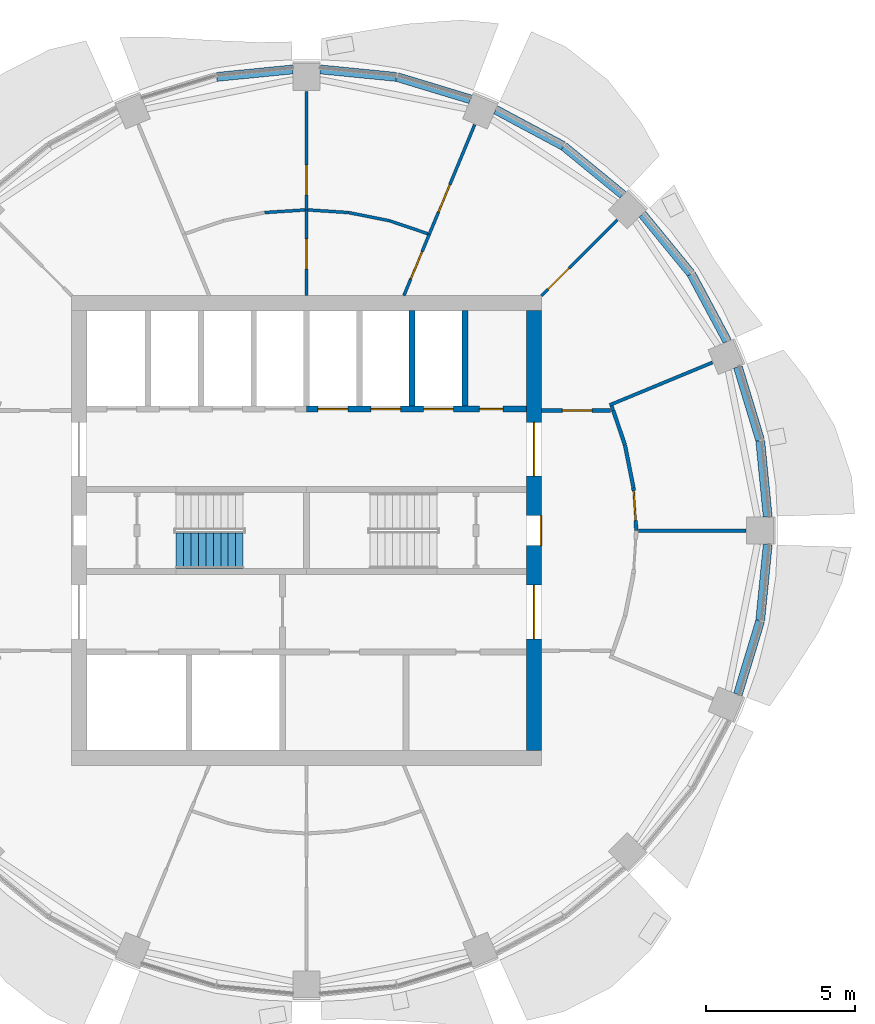
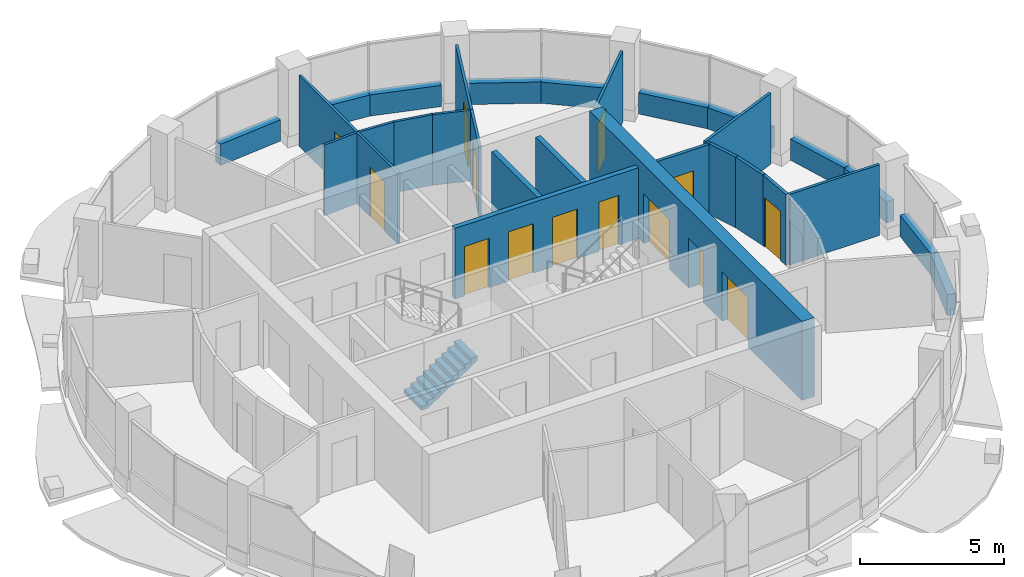
# One storey, part 9 of 14: 31 walls, 14 doors, 1 stair flight, 14 openings, 1 element without a shape of its own.
"""IFC4 building model written with IfcOpenShell, lengths in metres."""

from ifc_helpers import new_model, si_unit, direction, frame, frame_2d, origin, place, context, subcontext, project, spatial, polyline, rectangle, outline, extrude, material, layer, layer_set, type_object, element, fill, aggregate, save


model = new_model("IFC4")

# Units and contexts
model_context = context("Model", 3, precision=1e-05, world=origin(), true_north=direction((0.0, 1.0)))
body_context = subcontext(model_context, "Body", "Model", "MODEL_VIEW")
ifc_project = project(units=[si_unit("LENGTHUNIT", "METRE"), si_unit("AREAUNIT", "SQUARE_METRE"), si_unit("VOLUMEUNIT", "CUBIC_METRE"), si_unit("PLANEANGLEUNIT", "RADIAN"), si_unit("MASSUNIT", "GRAM", prefix="KILO")], contexts=[model_context])

# Site, building, storey
site_placement = place(None, origin())
site = spatial("IfcSite", under=ifc_project, at=site_placement, CompositionType="ELEMENT")
building_placement = place(site_placement, origin())
building = spatial("IfcBuilding", under=site, at=building_placement, Name="Polderwave Tower", CompositionType="ELEMENT")
storey_placement = place(building_placement, frame((0.0, 0.0, 217.800048828125)))
storey = spatial("IfcBuildingStorey", under=building, at=storey_placement, Name="L59", CompositionType="ELEMENT", Elevation=217.800048828125)

# Wall, openings, doors
ifc_material_1 = material(Name="Concrete C60/75", Category="concrete")
ifc_layer_1 = layer(ifc_material_1, 0.5)
ifc_layer_set_1 = layer_set([ifc_layer_1], Name="CORE WALL 500 C60/75")
wall_type_1 = type_object("IfcWallType", Name="CORE WALL 500 C60/75", PredefinedType="SHEAR", material=ifc_layer_set_1)
wall_1_placement = place(storey_placement, frame((7.6240234375, -7.3740234375, 0.0), z_axis=(0.0, 0.0, 1.0), x_axis=(0.0, 1.0, 0.0)))
wall_1 = element("IfcWall", 1, at=wall_1_placement, inside=storey, type_object=wall_type_1, Name="ST-CORE-L59-E", PredefinedType="SHEAR", context=body_context, shape_type="SweptSolid", body=[
    extrude(rectangle(XDim=14.748046875, YDim=0.5, at=frame_2d((7.3740234375, 0.0))), origin(), (0.0, 0.0, 1.0), 3.349853515625),
])
opening_1_placement = place(wall_1_placement, frame((6.8740234375, 0.0, 0.0)))
opening_1 = element("IfcOpeningElement", 2, at=opening_1_placement, cuts=wall_1, Name="Opening L59-D21", PredefinedType="OPENING", context=body_context, shape_type="SweptSolid", body=[
    extrude(rectangle(XDim=1.0, YDim=2.10009765625, at=frame_2d((0.5, 1.050048828125))), frame((0.0, 0.260009765625, 0.0), z_axis=(0.0, -1.0, 0.0), x_axis=(1.0, 0.0, 0.0)), (0.0, 0.0, 1.0), 0.52001953125),
])
opening_2_placement = place(wall_1_placement, frame((3.74951171875, 0.0, 0.0)))
opening_2 = element("IfcOpeningElement", 3, at=opening_2_placement, cuts=wall_1, Name="Opening L59-D22", PredefinedType="OPENING", context=body_context, shape_type="SweptSolid", body=[
    extrude(rectangle(XDim=1.800048828125, YDim=2.10009765625, at=frame_2d((0.89990234375, 1.050048828125))), frame((0.0, 0.260009765625, 0.0), z_axis=(0.0, -1.0, 0.0), x_axis=(1.0, 0.0, 0.0)), (0.0, 0.0, 1.0), 0.52001953125),
])
opening_3_placement = place(wall_1_placement, frame((9.198486328125, 0.0, 0.0)))
opening_3 = element("IfcOpeningElement", 4, at=opening_3_placement, cuts=wall_1, Name="Opening L59-D23", PredefinedType="OPENING", context=body_context, shape_type="SweptSolid", body=[
    extrude(rectangle(XDim=1.800048828125, YDim=2.10009765625, at=frame_2d((0.89990234375, 1.050048828125))), frame((0.0, 0.260009765625, 0.0), z_axis=(0.0, -1.0, 0.0), x_axis=(1.0, 0.0, 0.0)), (0.0, 0.0, 1.0), 0.52001953125),
])
ifc_material_2 = material(Name="Steel fire door", Category="steel")
door_type_1 = type_object("IfcDoorType", Name="Lobby entry door pair 1800", OperationType="DOUBLE_DOOR_SINGLE_SWING", PredefinedType="DOOR", material=ifc_material_2)
door_1_placement = place(opening_2_placement, frame((1.800048828125, 0.0, 0.0), z_axis=(0.0, 0.0, 1.0), x_axis=(-1.0, 0.0, 0.0)))
door_1 = element("IfcDoor", 5, at=door_1_placement, inside=storey, type_object=door_type_1, Name="South lobby entry door", OperationType="DOUBLE_DOOR_SINGLE_SWING", OverallHeight=2.10009765625, OverallWidth=1.800048828125, PredefinedType="DOOR", context=body_context, shape_type="SweptSolid", body=[
    extrude(rectangle(XDim=1.800048828125, YDim=2.10009765625, at=frame_2d((0.89990234375, 1.050048828125))), frame((0.0, 0.02490234375, 0.0), z_axis=(0.0, -1.0, 0.0), x_axis=(1.0, 0.0, 0.0)), (0.0, 0.0, 1.0), 0.050048828125),
])
fill(opening_2, door_1)
door_2_placement = place(opening_3_placement, frame((1.800048828125, 0.0, 0.0), z_axis=(0.0, 0.0, 1.0), x_axis=(-1.0, 0.0, 0.0)))
door_2 = element("IfcDoor", 6, at=door_2_placement, inside=storey, type_object=door_type_1, Name="North lobby entry door", OperationType="DOUBLE_DOOR_SINGLE_SWING", OverallHeight=2.10009765625, OverallWidth=1.800048828125, PredefinedType="DOOR", context=body_context, shape_type="SweptSolid", body=[
    extrude(rectangle(XDim=1.800048828125, YDim=2.10009765625, at=frame_2d((0.89990234375, 1.050048828125))), frame((0.0, 0.02490234375, 0.0), z_axis=(0.0, -1.0, 0.0), x_axis=(1.0, 0.0, 0.0)), (0.0, 0.0, 1.0), 0.050048828125),
])
fill(opening_3, door_2)
door_type_2 = type_object("IfcDoorType", Name="Stair door 1000", OperationType="NOTDEFINED", PredefinedType="DOOR", material=ifc_material_2)
door_3_placement = place(opening_1_placement, frame((1.0, 0.0, 0.0), z_axis=(0.0, 0.0, 1.0), x_axis=(-1.0, 0.0, 0.0)))
door_3 = element("IfcDoor", 7, at=door_3_placement, inside=storey, type_object=door_type_2, Name="Stair B entry door", OperationType="SINGLE_SWING_LEFT", OverallHeight=2.10009765625, OverallWidth=1.0, PredefinedType="DOOR", context=body_context, shape_type="SweptSolid", body=[
    extrude(rectangle(XDim=1.0, YDim=2.10009765625, at=frame_2d((0.5, 1.050048828125))), frame((0.0, 0.25, 0.0), z_axis=(0.0, -1.0, 0.0), x_axis=(1.0, 0.0, 0.0)), (0.0, 0.0, 1.0), 0.050048828125),
])
fill(opening_1, door_3)

# Walls
ifc_material_3 = material(Name="Concrete C50/60 (board-marked)", Category="concrete")
ifc_layer_2 = layer(ifc_material_3, 0.300048828125)
ifc_layer_set_2 = layer_set([ifc_layer_2], Name="Concrete spandrel upstand C50/60")
wall_type_2 = type_object("IfcWallType", Name="Concrete spandrel upstand C50/60", PredefinedType="SOLIDWALL", material=ifc_layer_set_2)
wall_2_placement = place(storey_placement, frame((15.45458984375, 0.4638671875, 0.0), z_axis=(0.0, 0.0, 1.0), x_axis=(-0.09813315545, 0.995173293352, 0.0)))
element("IfcWall", 8, at=wall_2_placement, inside=storey, type_object=wall_type_2, Name="Spandrel L59 1a", PredefinedType="SOLIDWALL", context=body_context, shape_type="SweptSolid", body=[
    extrude(rectangle(XDim=2.5576171875, YDim=0.300048828125, at=frame_2d((1.27880859375, 0.0))), origin(), (0.0, 0.0, 1.0), 0.89990234375),
])
wall_3_placement = place(storey_placement, frame((15.197509765625, 3.038330078125, 0.0), z_axis=(0.0, 0.0, 1.0), x_axis=(-0.290219358397, 0.956960147557, 0.0)))
element("IfcWall", 9, at=wall_3_placement, inside=storey, type_object=wall_type_2, Name="Spandrel L59 1b", PredefinedType="SOLIDWALL", context=body_context, shape_type="SweptSolid", body=[
    extrude(rectangle(XDim=2.557373046875, YDim=0.300048828125, at=frame_2d((1.27880859375, 0.0))), origin(), (0.0, 0.0, 1.0), 0.89990234375),
])
wall_4_placement = place(storey_placement, frame((14.099853515625, 6.34326171875, 0.0), z_axis=(0.0, 0.0, 1.0), x_axis=(-0.471603904468, 0.881810499649, 0.0)))
element("IfcWall", 10, at=wall_4_placement, inside=storey, type_object=wall_type_2, Name="Spandrel L59 2a", PredefinedType="SOLIDWALL", context=body_context, shape_type="SweptSolid", body=[
    extrude(rectangle(XDim=2.556884765625, YDim=0.300048828125, at=frame_2d((1.2783203125, 0.0))), origin(), (0.0, 0.0, 1.0), 0.89990234375),
])
for number, where, z_axis, x_axis, name in (
    (11, (12.87744140625, 8.62255859375, 0.0), (0.0, 0.0, 1.0), (-0.634089861662, 0.773259366149, 0.0), "Spandrel L59 2b"),
    (12, (10.600341796875, 11.255615234375, 0.0), (0.0, 0.0, 1.0), (-0.773259366149, 0.634089861662, 0.0), "Spandrel L59 3a"),
):
    element("IfcWall", number, at=place(storey_placement, frame(where, z_axis=z_axis, x_axis=x_axis)), inside=storey, type_object=wall_type_2, Name=name, PredefinedType="SOLIDWALL", context=body_context, shape_type="SweptSolid", body=[
        extrude(rectangle(XDim=2.5576171875, YDim=0.300048828125, at=frame_2d((1.27880859375, 0.0))), origin(), (0.0, 0.0, 1.0), 0.89990234375),
    ])
wall_5_placement = place(storey_placement, frame((8.597900390625, 12.89404296875, 0.0), z_axis=(0.0, 0.0, 1.0), x_axis=(-0.881810499649, 0.471603904468, 0.0)))
element("IfcWall", 13, at=wall_5_placement, inside=storey, type_object=wall_type_2, Name="Spandrel L59 3b", PredefinedType="SOLIDWALL", context=body_context, shape_type="SweptSolid", body=[
    extrude(rectangle(XDim=2.556884765625, YDim=0.300048828125, at=frame_2d((1.2783203125, 0.0))), origin(), (0.0, 0.0, 1.0), 0.89990234375),
])
wall_6_placement = place(storey_placement, frame((5.485595703125, 14.455322265625, 0.0), z_axis=(0.0, 0.0, 1.0), x_axis=(-0.956960147557, 0.290219358397, 0.0)))
element("IfcWall", 14, at=wall_6_placement, inside=storey, type_object=wall_type_2, Name="Spandrel L59 4a", PredefinedType="SOLIDWALL", context=body_context, shape_type="SweptSolid", body=[
    extrude(rectangle(XDim=2.557373046875, YDim=0.300048828125, at=frame_2d((1.27880859375, 0.0))), origin(), (0.0, 0.0, 1.0), 0.89990234375),
])
for number, where, z_axis, x_axis, name in (
    (15, (3.009033203125, 15.20361328125, 0.0), (0.0, 0.0, 1.0), (-0.995173293352, 0.09813315545, 0.0), "Spandrel L59 4b"),
    (16, (-0.4638671875, 15.45458984375, 0.0), (0.0, 0.0, 1.0), (-0.995173293352, -0.09813315545, 0.0), "Spandrel L59 5a"),
):
    element("IfcWall", number, at=place(storey_placement, frame(where, z_axis=z_axis, x_axis=x_axis)), inside=storey, type_object=wall_type_2, Name=name, PredefinedType="SOLIDWALL", context=body_context, shape_type="SweptSolid", body=[
        extrude(rectangle(XDim=2.5576171875, YDim=0.300048828125, at=frame_2d((1.27880859375, 0.0))), origin(), (0.0, 0.0, 1.0), 0.89990234375),
    ])
wall_7_placement = place(storey_placement, frame((14.455322265625, -5.485595703125, 0.0), z_axis=(0.0, 0.0, 1.0), x_axis=(0.290219358397, 0.956960147557, 0.0)))
element("IfcWall", 17, at=wall_7_placement, inside=storey, type_object=wall_type_2, Name="Spandrel L59 16a", PredefinedType="SOLIDWALL", context=body_context, shape_type="SweptSolid", body=[
    extrude(rectangle(XDim=2.557373046875, YDim=0.300048828125, at=frame_2d((1.27880859375, 0.0))), origin(), (0.0, 0.0, 1.0), 0.89990234375),
])
wall_8_placement = place(storey_placement, frame((15.20361328125, -3.009033203125, 0.0), z_axis=(0.0, 0.0, 1.0), x_axis=(0.09813315545, 0.995173293352, 0.0)))
element("IfcWall", 18, at=wall_8_placement, inside=storey, type_object=wall_type_2, Name="Spandrel L59 16b", PredefinedType="SOLIDWALL", context=body_context, shape_type="SweptSolid", body=[
    extrude(rectangle(XDim=2.5576171875, YDim=0.300048828125, at=frame_2d((1.27880859375, 0.0))), origin(), (0.0, 0.0, 1.0), 0.89990234375),
])

# Wall, openings, doors
ifc_material_4 = material(Name="Concrete C50/60", Category="concrete")
ifc_layer_3 = layer(ifc_material_4, 0.199951171875)
ifc_layer_set_3 = layer_set([ifc_layer_3], Name="Core web wall 200")
wall_type_3 = type_object("IfcWallType", Name="Core web wall 200", PredefinedType="SHEAR", material=ifc_layer_set_3)
wall_9_placement = place(storey_placement, frame((0.0, 4.073974609375, 0.0), z_axis=(0.0, 0.0, 1.0), x_axis=(1.0, 0.0, 0.0)))
wall_9 = element("IfcWall", 19, at=wall_9_placement, inside=storey, type_object=wall_type_3, Name="L59 north front wall 2", PredefinedType="SHEAR", context=body_context, shape_type="SweptSolid", body=[
    extrude(rectangle(XDim=7.3740234375, YDim=0.199951171875, at=frame_2d((3.68701171875, 0.0))), origin(), (0.0, 0.0, 1.0), 3.0),
])
opening_4_placement = place(wall_9_placement, frame((0.38427734375, 0.0, 0.0)))
opening_4 = element("IfcOpeningElement", 20, at=opening_4_placement, cuts=wall_9, Name="Opening L59-D07", PredefinedType="OPENING", context=body_context, shape_type="SweptSolid", body=[
    extrude(rectangle(XDim=1.0, YDim=2.10009765625, at=frame_2d((0.5, 1.050048828125))), frame((0.0, 0.10986328125, 0.0), z_axis=(0.0, -1.0, 0.0), x_axis=(1.0, 0.0, 0.0)), (0.0, 0.0, 1.0), 0.219970703125),
])
opening_5_placement = place(wall_9_placement, frame((2.15283203125, 0.0, 0.0)))
opening_5 = element("IfcOpeningElement", 21, at=opening_5_placement, cuts=wall_9, Name="Opening L59-D08", PredefinedType="OPENING", context=body_context, shape_type="SweptSolid", body=[
    extrude(rectangle(XDim=1.0, YDim=2.10009765625, at=frame_2d((0.5, 1.050048828125))), frame((0.0, 0.10986328125, 0.0), z_axis=(0.0, -1.0, 0.0), x_axis=(1.0, 0.0, 0.0)), (0.0, 0.0, 1.0), 0.219970703125),
])
opening_6_placement = place(wall_9_placement, frame((3.921142578125, 0.0, 0.0)))
opening_6 = element("IfcOpeningElement", 22, at=opening_6_placement, cuts=wall_9, Name="Opening L59-D09", PredefinedType="OPENING", context=body_context, shape_type="SweptSolid", body=[
    extrude(rectangle(XDim=1.0, YDim=2.10009765625, at=frame_2d((0.5, 1.050048828125))), frame((0.0, 0.10986328125, 0.0), z_axis=(0.0, -1.0, 0.0), x_axis=(1.0, 0.0, 0.0)), (0.0, 0.0, 1.0), 0.219970703125),
])
opening_7_placement = place(wall_9_placement, frame((5.789794921875, 0.0, 0.0)))
opening_7 = element("IfcOpeningElement", 23, at=opening_7_placement, cuts=wall_9, Name="Opening L59-D17", PredefinedType="OPENING", context=body_context, shape_type="SweptSolid", body=[
    extrude(rectangle(XDim=0.800048828125, YDim=2.10009765625, at=frame_2d((0.39990234375, 1.050048828125))), frame((0.0, 0.10986328125, 0.0), z_axis=(0.0, -1.0, 0.0), x_axis=(1.0, 0.0, 0.0)), (0.0, 0.0, 1.0), 0.219970703125),
])
ifc_material_5 = material(Name="Stainless steel", Category="steel")
door_type_3 = type_object("IfcDoorType", Name="Lift landing door 1000", OperationType="DOUBLE_DOOR_SLIDING", PredefinedType="DOOR", material=ifc_material_5)
door_4_placement = place(opening_4_placement, frame((1.0, 0.0, 0.0), z_axis=(0.0, 0.0, 1.0), x_axis=(-1.0, 0.0, 0.0)))
door_4 = element("IfcDoor", 24, at=door_4_placement, inside=storey, type_object=door_type_3, Name="Lift HL5 landing door", OperationType="DOUBLE_DOOR_SLIDING", OverallHeight=2.10009765625, OverallWidth=1.0, PredefinedType="DOOR", context=body_context, shape_type="SweptSolid", body=[
    extrude(rectangle(XDim=1.0, YDim=2.10009765625, at=frame_2d((0.5, 1.050048828125))), frame((0.0, 0.02490234375, 0.0), z_axis=(0.0, -1.0, 0.0), x_axis=(1.0, 0.0, 0.0)), (0.0, 0.0, 1.0), 0.050048828125),
])
fill(opening_4, door_4)
door_5_placement = place(opening_5_placement, frame((1.0, 0.0, 0.0), z_axis=(0.0, 0.0, 1.0), x_axis=(-1.0, 0.0, 0.0)))
door_5 = element("IfcDoor", 25, at=door_5_placement, inside=storey, type_object=door_type_3, Name="Lift HL6 landing door", OperationType="DOUBLE_DOOR_SLIDING", OverallHeight=2.10009765625, OverallWidth=1.0, PredefinedType="DOOR", context=body_context, shape_type="SweptSolid", body=[
    extrude(rectangle(XDim=1.0, YDim=2.10009765625, at=frame_2d((0.5, 1.050048828125))), frame((0.0, 0.02490234375, 0.0), z_axis=(0.0, -1.0, 0.0), x_axis=(1.0, 0.0, 0.0)), (0.0, 0.0, 1.0), 0.050048828125),
])
fill(opening_5, door_5)
door_6_placement = place(opening_6_placement, frame((1.0, 0.0, 0.0), z_axis=(0.0, 0.0, 1.0), x_axis=(-1.0, 0.0, 0.0)))
door_6 = element("IfcDoor", 26, at=door_6_placement, inside=storey, type_object=door_type_3, Name="Lift HL7 landing door", OperationType="DOUBLE_DOOR_SLIDING", OverallHeight=2.10009765625, OverallWidth=1.0, PredefinedType="DOOR", context=body_context, shape_type="SweptSolid", body=[
    extrude(rectangle(XDim=1.0, YDim=2.10009765625, at=frame_2d((0.5, 1.050048828125))), frame((0.0, 0.02490234375, 0.0), z_axis=(0.0, -1.0, 0.0), x_axis=(1.0, 0.0, 0.0)), (0.0, 0.0, 1.0), 0.050048828125),
])
fill(opening_6, door_6)
door_type_4 = type_object("IfcDoorType", Name="Riser door 800", OperationType="NOTDEFINED", PredefinedType="DOOR", material=ifc_material_2)
door_7_placement = place(opening_7_placement, frame((0.800048828125, 0.0, 0.0), z_axis=(0.0, 0.0, 1.0), x_axis=(-1.0, 0.0, 0.0)))
door_7 = element("IfcDoor", 27, at=door_7_placement, inside=storey, type_object=door_type_4, Name="Riser door", OperationType="SINGLE_SWING_LEFT", OverallHeight=2.10009765625, OverallWidth=0.800048828125, PredefinedType="DOOR", context=body_context, shape_type="SweptSolid", body=[
    extrude(rectangle(XDim=0.800048828125, YDim=2.10009765625, at=frame_2d((0.39990234375, 1.050048828125))), frame((0.0, 0.02490234375, 0.0), z_axis=(0.0, -1.0, 0.0), x_axis=(1.0, 0.0, 0.0)), (0.0, 0.0, 1.0), 0.050048828125),
])
fill(opening_7, door_7)

# Walls
ifc_material_6 = material(Name="Fire-resisting board on steel studs", Category="steel")
ifc_layer_4 = layer(ifc_material_6, 0.125)
ifc_layer_set_4 = layer_set([ifc_layer_4], Name="Corridor wall 125 mm EI 60")
wall_type_4 = type_object("IfcWallType", Name="Corridor wall 125 mm EI 60", PredefinedType="PARTITIONING", material=ifc_layer_set_4)
wall_10_placement = place(storey_placement, frame((10.2783203125, 4.0244140625, 0.0), z_axis=(0.0, 0.0, 1.0), x_axis=(0.321363343769, -0.946955965862, 0.0)))
element("IfcWall", 28, at=wall_10_placement, inside=storey, type_object=wall_type_4, Name="IN-L59-W001", PredefinedType="PARTITIONING", context=body_context, shape_type="SweptSolid", body=[
    extrude(rectangle(XDim=1.225341796875, YDim=0.125, at=frame_2d((0.61279296875, 0.0))), origin(), (0.0, 0.0, 1.0), 3.0),
])
wall_11_placement = place(storey_placement, frame((10.67431640625, 2.85595703125, 0.0), z_axis=(0.0, 0.0, 1.0), x_axis=(0.195005351681, -0.980802178228, 0.0)))
element("IfcWall", 29, at=wall_11_placement, inside=storey, type_object=wall_type_4, Name="IN-L59-W002", PredefinedType="PARTITIONING", context=body_context, shape_type="SweptSolid", body=[
    extrude(rectangle(XDim=1.437255859375, YDim=0.125, at=frame_2d((0.71875, 0.0))), origin(), (0.0, 0.0, 1.0), 3.0),
])

# Wall, opening, door
wall_12_placement = place(storey_placement, frame((10.955810546875, 1.438232421875, 0.0), z_axis=(0.0, 0.0, 1.0), x_axis=(0.065383473363, -0.997860211358, 0.0)))
wall_12 = element("IfcWall", 30, at=wall_12_placement, inside=storey, type_object=wall_type_4, Name="IN-L59-W003", PredefinedType="PARTITIONING", context=body_context, shape_type="SweptSolid", body=[
    extrude(rectangle(XDim=1.44140625, YDim=0.125, at=frame_2d((0.720703125, 0.0))), origin(), (0.0, 0.0, 1.0), 3.0),
])
opening_8_placement = place(wall_12_placement, frame((0.10009765625, 0.0, 0.0)))
opening_8 = element("IfcOpeningElement", 31, at=opening_8_placement, cuts=wall_12, Name="Opening L59-D50", PredefinedType="OPENING", context=body_context, shape_type="SweptSolid", body=[
    extrude(rectangle(XDim=1.0, YDim=2.10009765625, at=frame_2d((0.5, 1.050048828125))), frame((0.0, 0.072509765625, 0.0), z_axis=(0.0, -1.0, 0.0), x_axis=(1.0, 0.0, 0.0)), (0.0, 0.0, 1.0), 0.14501953125),
])
ifc_material_7 = material(Name="Timber fire door leaf", Category="wood")
door_type_5 = type_object("IfcDoorType", Name="Fire door FD30S 1000 x 2100", OperationType="NOTDEFINED", PredefinedType="DOOR", material=ifc_material_7)
door_8_placement = place(opening_8_placement, origin())
door_8 = element("IfcDoor", 32, at=door_8_placement, inside=storey, type_object=door_type_5, Name="Door L59-D50", OperationType="SINGLE_SWING_LEFT", OverallHeight=2.10009765625, OverallWidth=1.0, PredefinedType="DOOR", context=body_context, shape_type="SweptSolid", body=[
    extrude(rectangle(XDim=1.0, YDim=2.10009765625, at=frame_2d((0.5, 1.050048828125))), frame((0.0, 0.02490234375, 0.0), z_axis=(0.0, -1.0, 0.0), x_axis=(1.0, 0.0, 0.0)), (0.0, 0.0, 1.0), 0.050048828125),
])
fill(opening_8, door_8)

wall_13_placement = place(storey_placement, frame((7.8740234375, 4.0244140625, 0.0), z_axis=(0.0, 0.0, 1.0), x_axis=(1.0, 0.0, 0.0)))
wall_13 = element("IfcWall", 33, at=wall_13_placement, inside=storey, type_object=wall_type_4, Name="IN-L59-W004", PredefinedType="PARTITIONING", context=body_context, shape_type="SweptSolid", body=[
    extrude(rectangle(XDim=2.31689453125, YDim=0.125, at=frame_2d((1.158447265625, 0.0))), origin(), (0.0, 0.0, 1.0), 3.0),
])
opening_9_placement = place(wall_13_placement, frame((0.699951171875, 0.0, 0.0)))
opening_9 = element("IfcOpeningElement", 34, at=opening_9_placement, cuts=wall_13, Name="Opening L59-D51", PredefinedType="OPENING", context=body_context, shape_type="SweptSolid", body=[
    extrude(rectangle(XDim=1.0, YDim=2.10009765625, at=frame_2d((0.5, 1.050048828125))), frame((0.0, 0.072509765625, 0.0), z_axis=(0.0, -1.0, 0.0), x_axis=(1.0, 0.0, 0.0)), (0.0, 0.0, 1.0), 0.14501953125),
])
door_9_placement = place(opening_9_placement, origin())
door_9 = element("IfcDoor", 35, at=door_9_placement, inside=storey, type_object=door_type_5, Name="Door L59-D51", OperationType="SINGLE_SWING_RIGHT", OverallHeight=2.10009765625, OverallWidth=1.0, PredefinedType="DOOR", context=body_context, shape_type="SweptSolid", body=[
    extrude(rectangle(XDim=1.0, YDim=2.10009765625, at=frame_2d((0.5, 1.050048828125))), frame((0.0, 0.02490234375, 0.0), z_axis=(0.0, -1.0, 0.0), x_axis=(1.0, 0.0, 0.0)), (0.0, 0.0, 1.0), 0.050048828125),
])
fill(opening_9, door_9)

ifc_material_8 = material(Name="Plasterboard on steel studs", Category="steel")
ifc_layer_5 = layer(ifc_material_8, 0.10009765625)
ifc_layer_set_5 = layer_set([ifc_layer_5], Name="Partition 100 mm plasterboard on steel studs")
wall_type_5 = type_object("IfcWallType", Name="Partition 100 mm plasterboard on steel studs", PredefinedType="PARTITIONING", material=ifc_layer_set_5)
wall_14_placement = place(storey_placement, frame((7.8740234375, 7.8740234375, 0.0), z_axis=(0.0, 0.0, 1.0), x_axis=(0.707106781187, 0.707106781187, 0.0)))
wall_14 = element("IfcWall", 36, at=wall_14_placement, inside=storey, type_object=wall_type_5, Name="IN-L59-W020", PredefinedType="PARTITIONING", context=body_context, shape_type="SweptSolid", body=[
    extrude(rectangle(XDim=3.58447265625, YDim=0.10009765625, at=frame_2d((1.792236328125, 0.0))), origin(), (0.0, 0.0, 1.0), 3.0),
])
opening_10_placement = place(wall_14_placement, frame((0.300048828125, 0.0, 0.0)))
opening_10 = element("IfcOpeningElement", 37, at=opening_10_placement, cuts=wall_14, Name="Opening L59-D57", PredefinedType="OPENING", context=body_context, shape_type="SweptSolid", body=[
    extrude(rectangle(XDim=1.0, YDim=2.10009765625, at=frame_2d((0.5, 1.050048828125))), frame((0.0, 0.06005859375, 0.0), z_axis=(0.0, -1.0, 0.0), x_axis=(1.0, 0.0, 0.0)), (0.0, 0.0, 1.0), 0.1201171875),
])
ifc_material_9 = material(Name="Timber veneer door leaf", Category="wood")
door_type_6 = type_object("IfcDoorType", Name="Single door 1000 x 2100", OperationType="NOTDEFINED", PredefinedType="DOOR", material=ifc_material_9)
door_10_placement = place(opening_10_placement, origin())
door_10 = element("IfcDoor", 38, at=door_10_placement, inside=storey, type_object=door_type_6, Name="Door L59-D57", OperationType="SINGLE_SWING_LEFT", OverallHeight=2.10009765625, OverallWidth=1.0, PredefinedType="DOOR", context=body_context, shape_type="SweptSolid", body=[
    extrude(rectangle(XDim=1.0, YDim=2.10009765625, at=frame_2d((0.5, 1.050048828125))), frame((0.0, 0.02490234375, 0.0), z_axis=(0.0, -1.0, 0.0), x_axis=(1.0, 0.0, 0.0)), (0.0, 0.0, 1.0), 0.050048828125),
])
fill(opening_10, door_10)

# Walls
wall_15_placement = place(storey_placement, frame((0.05322265625, 10.74658203125, 0.0), z_axis=(0.0, 0.0, 1.0), x_axis=(0.99785346224, -0.06548639473, 0.0)))
element("IfcWall", 39, at=wall_15_placement, inside=storey, type_object=wall_type_5, Name="IN-L59-W021", PredefinedType="PARTITIONING", context=body_context, shape_type="SweptSolid", body=[
    extrude(rectangle(XDim=1.349609375, YDim=0.10009765625, at=frame_2d((0.6748046875, 0.0))), origin(), (0.0, 0.0, 1.0), 3.0),
])
wall_16_placement = place(storey_placement, frame((1.406494140625, 10.657470703125, 0.0), z_axis=(0.0, 0.0, 1.0), x_axis=(0.980761417594, -0.19521025014, 0.0)))
element("IfcWall", 40, at=wall_16_placement, inside=storey, type_object=wall_type_5, Name="IN-L59-W022", PredefinedType="PARTITIONING", context=body_context, shape_type="SweptSolid", body=[
    extrude(rectangle(XDim=1.3994140625, YDim=0.10009765625, at=frame_2d((0.69970703125, 0.0))), origin(), (0.0, 0.0, 1.0), 3.0),
])
wall_17_placement = place(storey_placement, frame((2.785400390625, 10.382568359375, 0.0), z_axis=(0.0, 0.0, 1.0), x_axis=(0.946968869726, -0.32132531766, 0.0)))
element("IfcWall", 41, at=wall_17_placement, inside=storey, type_object=wall_type_5, Name="IN-L59-W023", PredefinedType="PARTITIONING", context=body_context, shape_type="SweptSolid", body=[
    extrude(rectangle(XDim=1.349365234375, YDim=0.10009765625, at=frame_2d((0.6748046875, 0.0))), origin(), (0.0, 0.0, 1.0), 3.0),
])

# Wall, opening, door
wall_18_placement = place(storey_placement, frame((3.261474609375, 7.8740234375, 0.0), z_axis=(0.0, 0.0, 1.0), x_axis=(0.382684189911, 0.923879218725, 0.0)))
wall_18 = element("IfcWall", 42, at=wall_18_placement, inside=storey, type_object=wall_type_5, Name="IN-L59-W024", PredefinedType="PARTITIONING", context=body_context, shape_type="SweptSolid", body=[
    extrude(rectangle(XDim=2.22705078125, YDim=0.10009765625, at=frame_2d((1.113525390625, 0.0))), origin(), (0.0, 0.0, 1.0), 3.0),
])
opening_11_placement = place(wall_18_placement, frame((0.60009765625, 0.0, 0.0)))
opening_11 = element("IfcOpeningElement", 43, at=opening_11_placement, cuts=wall_18, Name="Opening L59-D58", PredefinedType="OPENING", context=body_context, shape_type="SweptSolid", body=[
    extrude(rectangle(XDim=1.0, YDim=2.10009765625, at=frame_2d((0.5, 1.050048828125))), frame((0.0, 0.06005859375, 0.0), z_axis=(0.0, -1.0, 0.0), x_axis=(1.0, 0.0, 0.0)), (0.0, 0.0, 1.0), 0.1201171875),
])
door_11_placement = place(opening_11_placement, origin())
door_11 = element("IfcDoor", 44, at=door_11_placement, inside=storey, type_object=door_type_6, Name="Door L59-D58", OperationType="SINGLE_SWING_LEFT", OverallHeight=2.10009765625, OverallWidth=1.0, PredefinedType="DOOR", context=body_context, shape_type="SweptSolid", body=[
    extrude(rectangle(XDim=1.0, YDim=2.10009765625, at=frame_2d((0.5, 1.050048828125))), frame((0.0, 0.02490234375, 0.0), z_axis=(0.0, -1.0, 0.0), x_axis=(1.0, 0.0, 0.0)), (0.0, 0.0, 1.0), 0.050048828125),
])
fill(opening_11, door_11)

wall_19_placement = place(storey_placement, frame((0.0, 7.8740234375, 0.0), z_axis=(0.0, 0.0, 1.0), x_axis=(0.0, 1.0, 0.0)))
wall_19 = element("IfcWall", 45, at=wall_19_placement, inside=storey, type_object=wall_type_5, Name="IN-L59-W025", PredefinedType="PARTITIONING", context=body_context, shape_type="SweptSolid", body=[
    extrude(rectangle(XDim=2.8759765625, YDim=0.10009765625, at=frame_2d((1.43798828125, 0.0))), origin(), (0.0, 0.0, 1.0), 3.0),
])
opening_12_placement = place(wall_19_placement, frame((0.89990234375, 0.0, 0.0)))
opening_12 = element("IfcOpeningElement", 46, at=opening_12_placement, cuts=wall_19, Name="Opening L59-D59", PredefinedType="OPENING", context=body_context, shape_type="SweptSolid", body=[
    extrude(rectangle(XDim=1.0, YDim=2.10009765625, at=frame_2d((0.5, 1.050048828125))), frame((0.0, 0.06005859375, 0.0), z_axis=(0.0, -1.0, 0.0), x_axis=(1.0, 0.0, 0.0)), (0.0, 0.0, 1.0), 0.1201171875),
])
door_12_placement = place(opening_12_placement, origin())
door_12 = element("IfcDoor", 47, at=door_12_placement, inside=storey, type_object=door_type_6, Name="Door L59-D59", OperationType="SINGLE_SWING_LEFT", OverallHeight=2.10009765625, OverallWidth=1.0, PredefinedType="DOOR", context=body_context, shape_type="SweptSolid", body=[
    extrude(rectangle(XDim=1.0, YDim=2.10009765625, at=frame_2d((0.5, 1.050048828125))), frame((0.0, 0.02490234375, 0.0), z_axis=(0.0, -1.0, 0.0), x_axis=(1.0, 0.0, 0.0)), (0.0, 0.0, 1.0), 0.050048828125),
])
fill(opening_12, door_12)

wall_20_placement = place(storey_placement, frame((4.11376953125, 9.931640625, 0.0), z_axis=(0.0, 0.0, 1.0), x_axis=(0.382675844596, 0.923882675432, 0.0)))
wall_20 = element("IfcWall", 48, at=wall_20_placement, inside=storey, type_object=wall_type_5, Name="IN-L59-W026", PredefinedType="PARTITIONING", context=body_context, shape_type="SweptSolid", body=[
    extrude(rectangle(XDim=3.97021484375, YDim=0.10009765625, at=frame_2d((1.985107421875, 0.0))), origin(), (0.0, 0.0, 1.0), 3.0),
])
opening_13_placement = place(wall_20_placement, frame((0.800048828125, 0.0, 0.0)))
opening_13 = element("IfcOpeningElement", 49, at=opening_13_placement, cuts=wall_20, Name="Opening L59-D60", PredefinedType="OPENING", context=body_context, shape_type="SweptSolid", body=[
    extrude(rectangle(XDim=1.0, YDim=2.10009765625, at=frame_2d((0.5, 1.050048828125))), frame((0.0, 0.06005859375, 0.0), z_axis=(0.0, -1.0, 0.0), x_axis=(1.0, 0.0, 0.0)), (0.0, 0.0, 1.0), 0.1201171875),
])
door_13_placement = place(opening_13_placement, origin())
door_13 = element("IfcDoor", 50, at=door_13_placement, inside=storey, type_object=door_type_6, Name="Door L59-D60", OperationType="SINGLE_SWING_LEFT", OverallHeight=2.10009765625, OverallWidth=1.0, PredefinedType="DOOR", context=body_context, shape_type="SweptSolid", body=[
    extrude(rectangle(XDim=1.0, YDim=2.10009765625, at=frame_2d((0.5, 1.050048828125))), frame((0.0, 0.02490234375, 0.0), z_axis=(0.0, -1.0, 0.0), x_axis=(1.0, 0.0, 0.0)), (0.0, 0.0, 1.0), 0.050048828125),
])
fill(opening_13, door_13)

wall_21_placement = place(storey_placement, frame((0.0, 10.75, 0.0), z_axis=(0.0, 0.0, 1.0), x_axis=(0.0, 1.0, 0.0)))
wall_21 = element("IfcWall", 51, at=wall_21_placement, inside=storey, type_object=wall_type_5, Name="IN-L59-W027", PredefinedType="PARTITIONING", context=body_context, shape_type="SweptSolid", body=[
    extrude(rectangle(XDim=3.969970703125, YDim=0.10009765625, at=frame_2d((1.98486328125, 0.0))), origin(), (0.0, 0.0, 1.0), 3.0),
])
opening_14_placement = place(wall_21_placement, frame((0.5, 0.0, 0.0)))
opening_14 = element("IfcOpeningElement", 52, at=opening_14_placement, cuts=wall_21, Name="Opening L59-D61", PredefinedType="OPENING", context=body_context, shape_type="SweptSolid", body=[
    extrude(rectangle(XDim=1.0, YDim=2.10009765625, at=frame_2d((0.5, 1.050048828125))), frame((0.0, 0.06005859375, 0.0), z_axis=(0.0, -1.0, 0.0), x_axis=(1.0, 0.0, 0.0)), (0.0, 0.0, 1.0), 0.1201171875),
])
door_14_placement = place(opening_14_placement, origin())
door_14 = element("IfcDoor", 53, at=door_14_placement, inside=storey, type_object=door_type_6, Name="Door L59-D61", OperationType="SINGLE_SWING_LEFT", OverallHeight=2.10009765625, OverallWidth=1.0, PredefinedType="DOOR", context=body_context, shape_type="SweptSolid", body=[
    extrude(rectangle(XDim=1.0, YDim=2.10009765625, at=frame_2d((0.5, 1.050048828125))), frame((0.0, 0.02490234375, 0.0), z_axis=(0.0, -1.0, 0.0), x_axis=(1.0, 0.0, 0.0)), (0.0, 0.0, 1.0), 0.050048828125),
])
fill(opening_14, door_14)

# Walls
wall_22_placement = place(storey_placement, frame((-1.39990234375, 10.658203125, 0.0), z_axis=(0.0, 0.0, 1.0), x_axis=(0.99785346224, 0.06548639473, 0.0)))
element("IfcWall", 54, at=wall_22_placement, inside=storey, type_object=wall_type_5, Name="IN-L59-W030", PredefinedType="PARTITIONING", context=body_context, shape_type="SweptSolid", body=[
    extrude(rectangle(XDim=1.349609375, YDim=0.10009765625, at=frame_2d((0.6748046875, 0.0))), origin(), (0.0, 0.0, 1.0), 3.0),
])
ifc_material_10 = material(Name="Acoustic double plasterboard on steel studs", Category="steel")
ifc_layer_6 = layer(ifc_material_10, 0.110107421875)
ifc_layer_set_6 = layer_set([ifc_layer_6], Name="Partition 110 mm acoustic double board")
wall_type_6 = type_object("IfcWallType", Name="Partition 110 mm acoustic double board", PredefinedType="PARTITIONING", material=ifc_layer_set_6)
wall_23_placement = place(storey_placement, frame((10.158203125, 4.207763671875, 0.0), z_axis=(0.0, 0.0, 1.0), x_axis=(0.923897012701, 0.382641228728, 0.0)))
element("IfcWall", 55, at=wall_23_placement, inside=storey, type_object=wall_type_6, Name="IN-L59-W017", PredefinedType="PARTITIONING", context=body_context, shape_type="SweptSolid", body=[
    extrude(rectangle(XDim=3.724853515625, YDim=0.110107421875, at=frame_2d((1.8623046875, 0.0))), origin(), (0.0, 0.0, 1.0), 3.0),
])
wall_24_placement = place(storey_placement, frame((10.2783203125, 4.0244140625, 0.0), z_axis=(0.0, 0.0, 1.0), x_axis=(-0.321819116975, 0.94680117023, 0.0)))
element("IfcWall", 56, at=wall_24_placement, inside=storey, type_object=wall_type_6, Name="IN-L59-W018", PredefinedType="PARTITIONING", context=body_context, shape_type="SweptSolid", body=[
    extrude(rectangle(XDim=0.156982421875, YDim=0.110107421875, at=frame_2d((0.07861328125, 0.0))), origin(), (0.0, 0.0, 1.0), 3.0),
])
wall_25_placement = place(storey_placement, frame((14.719970703125, 0.0, 0.0), z_axis=(0.0, 0.0, 1.0), x_axis=(-1.0, 0.0, 0.0)))
element("IfcWall", 57, at=wall_25_placement, inside=storey, type_object=wall_type_6, Name="IN-L59-W019", PredefinedType="PARTITIONING", context=body_context, shape_type="SweptSolid", body=[
    extrude(rectangle(XDim=3.603759765625, YDim=0.110107421875, at=frame_2d((1.8017578125, 0.0))), origin(), (0.0, 0.0, 1.0), 3.0),
])
ifc_material_11 = material(Name="Gypsum shaft wall system")
ifc_layer_7 = layer(ifc_material_11, 0.199951171875)
ifc_layer_set_7 = layer_set([ifc_layer_7], Name="Shaft wall 200")
wall_type_7 = type_object("IfcWallType", Name="Shaft wall 200", PredefinedType="PARTITIONING", material=ifc_layer_set_7)
for number, where, z_axis, x_axis, name in (
    (58, (3.537109375, 4.174072265625, 0.0), (0.0, 0.0, 1.0), (0.0, 1.0, 0.0), "L59 lift shaft wall N6"),
    (59, (5.305419921875, 4.174072265625, 0.0), (0.0, 0.0, 1.0), (0.0, 1.0, 0.0), "L59 lift shaft wall N7"),
):
    element("IfcWall", number, at=place(storey_placement, frame(where, z_axis=z_axis, x_axis=x_axis)), inside=storey, type_object=wall_type_7, Name=name, PredefinedType="PARTITIONING", context=body_context, shape_type="SweptSolid", body=[
        extrude(rectangle(XDim=3.199951171875, YDim=0.199951171875, at=frame_2d((1.60009765625, 0.0))), origin(), (0.0, 0.0, 1.0), 3.0),
    ])

# Stair, stair flight
ifc_material_12 = material(Name="Concrete C40/50", Category="concrete")
stair_type = type_object("IfcStairType", Name="Exit stair 1200 x 20 risers", PredefinedType="HALF_TURN_STAIR", material=ifc_material_12)
stair_placement = place(storey_placement, origin())
stair = element("IfcStair", 60, at=stair_placement, inside=storey, type_object=stair_type, Name="L59 Exit stair A", PredefinedType="HALF_TURN_STAIR")
stair_flight_type = type_object("IfcStairFlightType", Name="Stair flight 1200", PredefinedType="STRAIGHT", material=ifc_material_12)
stair_flight_placement = place(storey_placement, frame((-4.3740234375, -0.675048828125, 0.0), z_axis=(0.0, 0.0, 1.0), x_axis=(1.0, 0.0, 0.0)))
stair_flight = element("IfcStairFlight", 61, at=stair_flight_placement, type_object=stair_flight_type, Name="ST-A flight 1", NumberOfRisers=10, NumberOfTreads=9, PredefinedType="STRAIGHT", RiserHeight=0.1675, TreadLength=0.25, context=body_context, shape_type="SweptSolid", body=[
    extrude(outline(polyline([(0.0, 0.0), (0.0, 0.16748046875), (0.25, 0.16748046875), (0.25, 0.3349609375), (0.5, 0.3349609375), (0.5, 0.50244140625), (0.75, 0.50244140625), (0.75, 0.669921875), (1.0, 0.669921875), (1.0, 0.83740234375), (1.25, 0.83740234375), (1.25, 1.0048828125), (1.5, 1.0048828125), (1.5, 1.172607421875), (1.75, 1.172607421875), (1.75, 1.340087890625), (2.0, 1.340087890625), (2.0, 1.507568359375), (2.25, 1.507568359375), (2.25, 1.675048828125), (2.25, 1.3271484375), (0.269287109375, 0.0), (0.0, 0.0)])), frame((0.0, 0.60009765625, 0.0), z_axis=(0.0, -1.0, 0.0), x_axis=(1.0, 0.0, 0.0)), (0.0, 0.0, 1.0), 1.199951171875),
])
aggregate(stair, [stair_flight])

save(model, "model.ifc")
